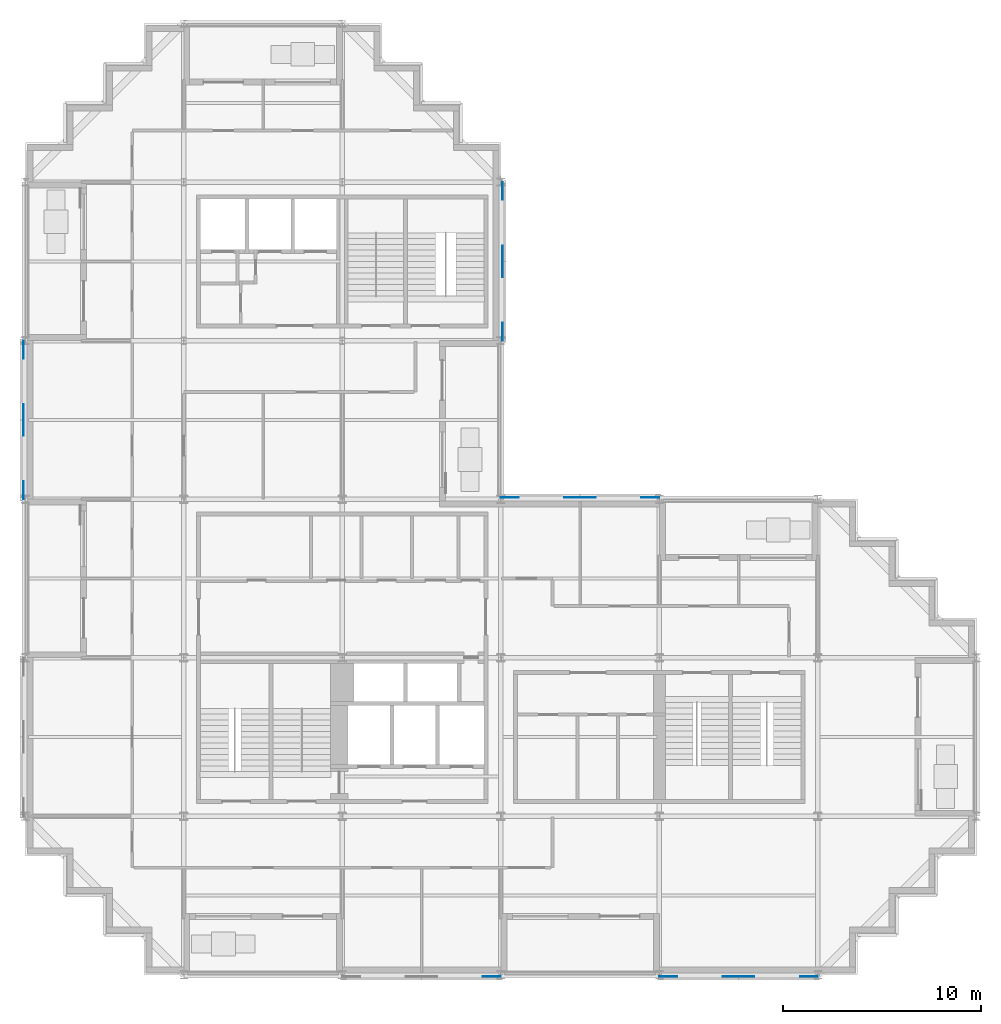
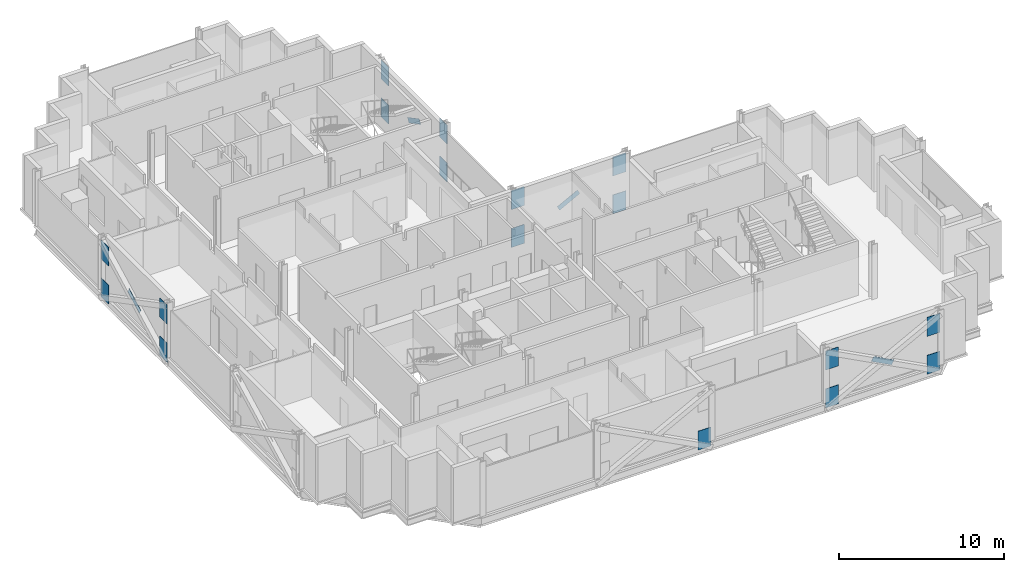
# One storey, part 10 of 13: 21 discrete accessories.
"""IFC4 building model written with IfcOpenShell, lengths in metres."""

from ifc_helpers import new_model, si_unit, direction, frame, origin, origin_2d, place, context, subcontext, project, spatial, rectangle, extrude, material, material_profile, profile_set, type_object, element, save


model = new_model("IFC4")

# Units and contexts
model_context = context("Model", 3, precision=1e-05, world=origin(), true_north=direction((0.0, 1.0)))
body_context = subcontext(model_context, "Body", "Model", "MODEL_VIEW")
ifc_project = project(units=[si_unit("LENGTHUNIT", "METRE"), si_unit("AREAUNIT", "SQUARE_METRE"), si_unit("VOLUMEUNIT", "CUBIC_METRE"), si_unit("PLANEANGLEUNIT", "RADIAN"), si_unit("MASSUNIT", "GRAM", prefix="KILO")], contexts=[model_context])

# Site, building, storey
site_placement = place(None, origin())
site = spatial("IfcSite", under=ifc_project, at=site_placement, CompositionType="ELEMENT")
building_placement = place(site_placement, origin())
building = spatial("IfcBuilding", under=site, at=building_placement, Name="Immortelle Media Tower", CompositionType="ELEMENT")
storey_placement = place(building_placement, frame((0.0, 0.0, 174.60009765625)))
storey = spatial("IfcBuildingStorey", under=building, at=storey_placement, Name="L36", CompositionType="ELEMENT", Elevation=174.60009765625)

# Discrete accessories
ifc_material = material(Name="Steel ASTM A572 Gr 50", Category="steel")
ifc_material_profile_1 = material_profile(ifc_material, rectangle(XDim=0.02392578125, YDim=0.35595703125, at=origin_2d()), Name="PL 24 x 356")
ifc_profile_set_1 = profile_set([ifc_material_profile_1], Name="Steel ASTM A572 Gr 50")
discrete_accessory_type_1 = type_object("IfcDiscreteAccessoryType", Name="Crossing plate XP-BR5 1600 x 356 x 24", PredefinedType="USERDEFINED", material=ifc_profile_set_1)
for number, where, z_axis, x_axis, name in (
    (1, (28.708251953125, 24.087890625, 2.015869140625), (-0.885338234428, 0.0, -0.464947535385), (0.0, -1.0, 0.0), "Crossing plate XP-BR5 of Brace D/4-5 A and Brace D/4-5 B"),
    (2, (24.087890625, 35.291748046875, 2.015869140625), (0.0, 0.885338234428, -0.464947535385), (-1.0, 0.0, 0.0), "Crossing plate XP-BR5 of Brace 4/E-F A and Brace 4/E-F B"),
    (3, (-0.087890625, 28.708251953125, 2.015869140625), (0.0, -0.885338234428, -0.464947535385), (1.0, 0.0, 0.0), "Crossing plate XP-BR5 of Brace 1/D-E A and Brace 1/D-E B"),
    (4, (35.291748046875, -0.087890625, 2.015869140625), (0.885338234428, 0.0, -0.464947535385), (0.0, 1.0, 0.0), "Crossing plate XP-BR5 of Brace A/5-6 A and Brace A/5-6 B"),
):
    element("IfcDiscreteAccessory", number, at=place(storey_placement, frame(where, z_axis=z_axis, x_axis=x_axis)), inside=storey, type_object=discrete_accessory_type_1, Name=name, ObjectType="CROSSING PLATE", PredefinedType="USERDEFINED", context=body_context, shape_type="SweptSolid", body=[
        extrude(rectangle(XDim=0.02392578125, YDim=0.35595703125, at=origin_2d()), origin(), (0.0, 0.0, 1.0), 1.599853515625),
    ])
ifc_material_profile_2 = material_profile(ifc_material, rectangle(XDim=0.031982421875, YDim=1.39990234375, at=origin_2d()), Name="PL 32 x 1400")
ifc_profile_set_2 = profile_set([ifc_material_profile_2], Name="Steel ASTM A572 Gr 50")
discrete_accessory_type_2 = type_object("IfcDiscreteAccessoryType", Name="Gusset plate GP1 900 x 1400 x 32", PredefinedType="USERDEFINED", material=ifc_profile_set_2)
for number, where, z_axis, x_axis, name in (
    (5, (24.0, -0.087890625, 0.243896484375), (-1.0, 0.0, 0.0), (0.0, -1.0, 0.0), "Gusset plate GP1, lower end of Brace A/3-4 B"),
    (6, (32.0, -0.087890625, 0.243896484375), (1.0, 0.0, 0.0), (0.0, 1.0, 0.0), "Gusset plate GP1, lower end of Brace A/5-6 A"),
    (7, (40.0, -0.087890625, 3.0439453125), (-1.0, 0.0, 0.0), (0.0, -1.0, 0.0), "Gusset plate GP1, upper end of Brace A/5-6 A"),
    (8, (40.0, -0.087890625, 0.243896484375), (-1.0, 0.0, 0.0), (0.0, -1.0, 0.0), "Gusset plate GP1, lower end of Brace A/5-6 B"),
    (9, (32.0, -0.087890625, 3.0439453125), (1.0, 0.0, 0.0), (0.0, 1.0, 0.0), "Gusset plate GP1, upper end of Brace A/5-6 B"),
    (10, (32.0, 24.087890625, 0.243896484375), (-1.0, 0.0, 0.0), (0.0, -1.0, 0.0), "Gusset plate GP1, lower end of Brace D/4-5 A"),
    (11, (24.0, 24.087890625, 3.0439453125), (1.0, 0.0, 0.0), (0.0, 1.0, 0.0), "Gusset plate GP1, upper end of Brace D/4-5 A"),
    (12, (24.0, 24.087890625, 0.243896484375), (1.0, 0.0, 0.0), (0.0, 1.0, 0.0), "Gusset plate GP1, lower end of Brace D/4-5 B"),
    (13, (32.0, 24.087890625, 3.0439453125), (-1.0, 0.0, 0.0), (0.0, -1.0, 0.0), "Gusset plate GP1, upper end of Brace D/4-5 B"),
    (14, (24.087890625, 32.0, 0.243896484375), (0.0, 1.0, 0.0), (-1.0, 0.0, 0.0), "Gusset plate GP1, lower end of Brace 4/E-F A"),
    (15, (24.087890625, 40.0, 3.0439453125), (0.0, -1.0, 0.0), (1.0, 0.0, 0.0), "Gusset plate GP1, upper end of Brace 4/E-F A"),
    (16, (24.087890625, 40.0, 0.243896484375), (0.0, -1.0, 0.0), (1.0, 0.0, 0.0), "Gusset plate GP1, lower end of Brace 4/E-F B"),
    (17, (24.087890625, 32.0, 3.0439453125), (0.0, 1.0, 0.0), (-1.0, 0.0, 0.0), "Gusset plate GP1, upper end of Brace 4/E-F B"),
    (18, (-0.087890625, 32.0, 0.243896484375), (0.0, -1.0, 0.0), (1.0, 0.0, 0.0), "Gusset plate GP1, lower end of Brace 1/D-E A"),
    (19, (-0.087890625, 24.0, 3.0439453125), (0.0, 1.0, 0.0), (-1.0, 0.0, 0.0), "Gusset plate GP1, upper end of Brace 1/D-E A"),
    (20, (-0.087890625, 24.0, 0.243896484375), (0.0, 1.0, 0.0), (-1.0, 0.0, 0.0), "Gusset plate GP1, lower end of Brace 1/D-E B"),
    (21, (-0.087890625, 32.0, 3.0439453125), (0.0, -1.0, 0.0), (1.0, 0.0, 0.0), "Gusset plate GP1, upper end of Brace 1/D-E B"),
):
    element("IfcDiscreteAccessory", number, at=place(storey_placement, frame(where, z_axis=z_axis, x_axis=x_axis)), inside=storey, type_object=discrete_accessory_type_2, Name=name, ObjectType="GUSSET PLATE", PredefinedType="USERDEFINED", context=body_context, shape_type="SweptSolid", body=[
        extrude(rectangle(XDim=0.031982421875, YDim=1.39990234375, at=origin_2d()), origin(), (0.0, 0.0, 1.0), 0.89990234375),
    ])

save(model, "model.ifc")
